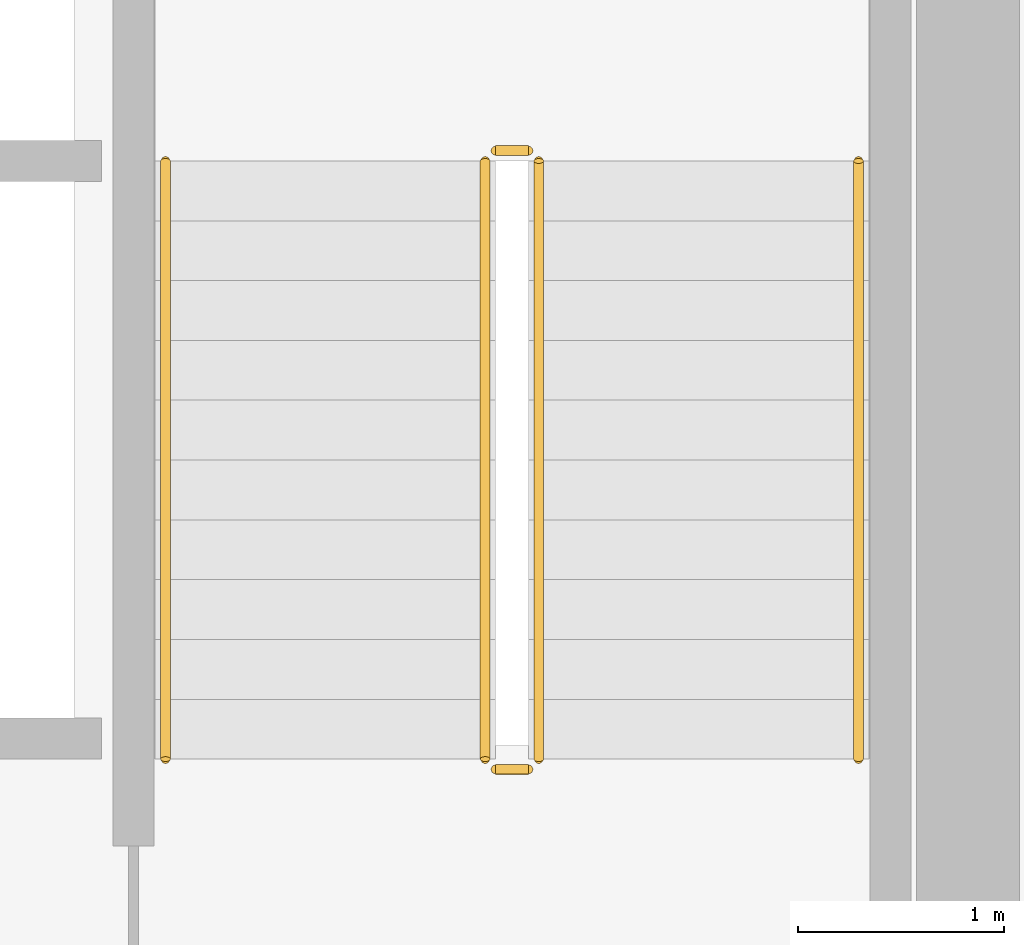
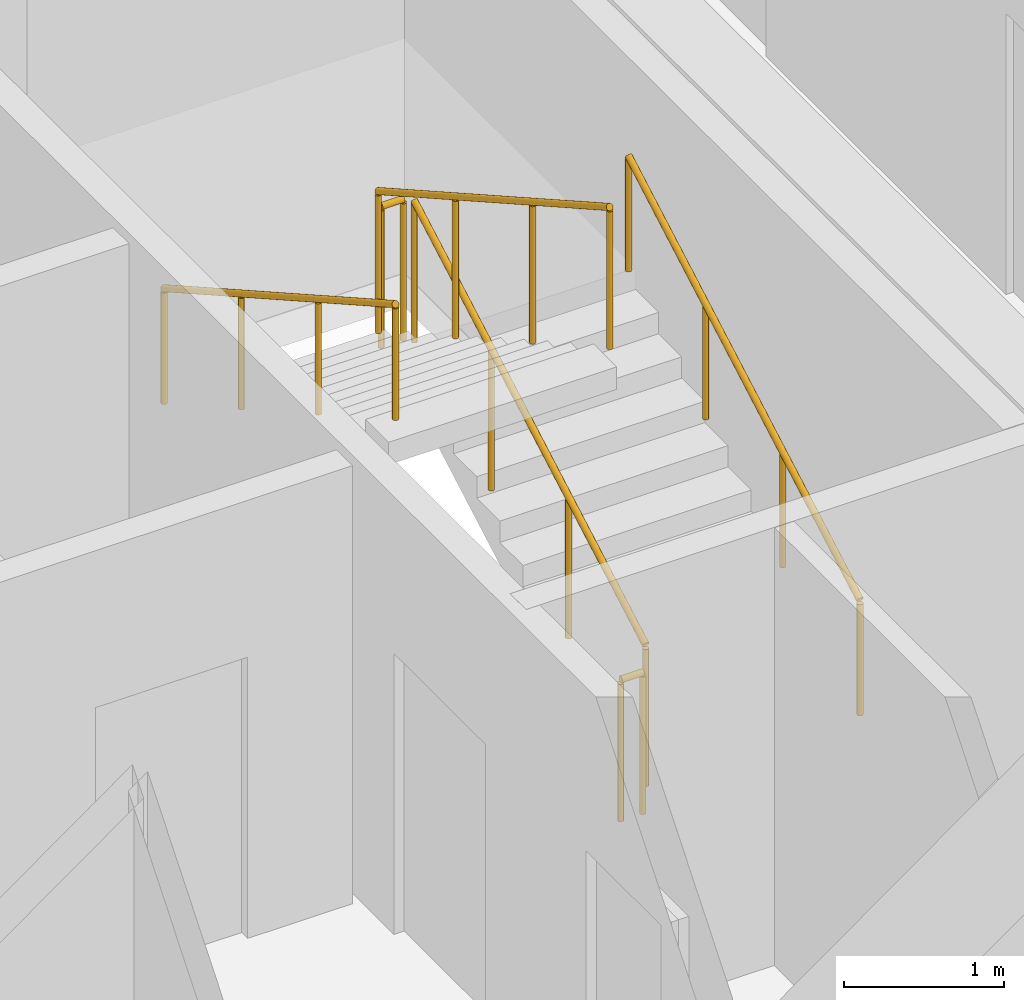
# One storey, part 9 of 9: 6 railings.
"""IFC4 building model written with IfcOpenShell, lengths in metres."""

from ifc_helpers import new_model, si_unit, direction, frame, origin, origin_2d, place, context, subcontext, project, spatial, circle, extrude, material, layer, layer_set, type_object, element, save


model = new_model("IFC4")

# Units and contexts
model_context = context("Model", 3, precision=1e-05, world=origin(), true_north=direction((0.0, 1.0)))
body_context = subcontext(model_context, "Body", "Model", "MODEL_VIEW")
ifc_project = project(units=[si_unit("LENGTHUNIT", "METRE"), si_unit("AREAUNIT", "SQUARE_METRE"), si_unit("VOLUMEUNIT", "CUBIC_METRE"), si_unit("PLANEANGLEUNIT", "RADIAN"), si_unit("MASSUNIT", "GRAM", prefix="KILO")], contexts=[model_context])

# Site, building, storey
site_placement = place(None, origin())
site = spatial("IfcSite", under=ifc_project, at=site_placement, CompositionType="ELEMENT")
building_placement = place(site_placement, origin())
building = spatial("IfcBuilding", under=site, at=building_placement, Name="Karkom Vertical University and Central Library", CompositionType="ELEMENT")
storey_placement = place(building_placement, frame((0.0, 0.0, 48.10009765625)))
storey = spatial("IfcBuildingStorey", under=building, at=storey_placement, Name="L12", CompositionType="ELEMENT", Elevation=48.10009765625)

# Railings
ifc_material_1 = material(Name="Painted galvanised steel balustrade", Category="steel")
ifc_layer_1 = layer(ifc_material_1, 0.06005859375)
ifc_layer_set_1 = layer_set([ifc_layer_1], Name="Painted galvanised steel balustrade")
railing_type_1 = type_object("IfcRailingType", Name="INT-RL-GUARD1100", PredefinedType="GUARDRAIL", material=ifc_layer_set_1)
railing_1_placement = place(storey_placement, frame((35.419921875, 23.02001953125, 0.16357421875)))
element("IfcRailing", 1, at=railing_1_placement, inside=storey, type_object=railing_type_1, Name="Level 12 ST-2 stair guard 1", PredefinedType="GUARDRAIL", context=body_context, shape_type="SweptSolid", body=[
    extrude(circle(Radius=0.02392578125, at=origin_2d()), frame((0.0, 0.0, 1.076171875), z_axis=(0.0, 0.870928581787, 0.491409610636), x_axis=(-1.0, 0.0, 0.0)), (0.0, 0.0, 1.0), 3.32958984375),
    extrude(circle(Radius=0.02099609375, at=origin_2d()), origin(), (0.0, 0.0, 1.0), 1.052001953125),
    extrude(circle(Radius=0.02099609375, at=origin_2d()), frame((0.0, 0.966552734375, 0.54541015625)), (0.0, 0.0, 1.0), 1.052001953125),
    extrude(circle(Radius=0.02099609375, at=origin_2d()), frame((0.0, 1.933349609375, 1.0908203125)), (0.0, 0.0, 1.0), 1.052001953125),
    extrude(circle(Radius=0.02099609375, at=origin_2d()), frame((0.0, 2.89990234375, 1.63623046875)), (0.0, 0.0, 1.0), 1.052001953125),
])
railing_2_placement = place(storey_placement, frame((35.3701171875, 25.969970703125, 1.7998046875)))
element("IfcRailing", 2, at=railing_2_placement, inside=storey, type_object=railing_type_1, Name="Level 12 ST-2 stair guard 2", PredefinedType="GUARDRAIL", context=body_context, shape_type="SweptSolid", body=[
    extrude(circle(Radius=0.02392578125, at=origin_2d()), frame((0.0, 0.0, 1.076171875), z_axis=(-1.0, 0.0, 0.0), x_axis=(0.0, -1.0, 0.0)), (0.0, 0.0, 1.0), 0.16015625),
    extrude(circle(Radius=0.02099609375, at=origin_2d()), origin(), (0.0, 0.0, 1.0), 1.052001953125),
    extrude(circle(Radius=0.02099609375, at=origin_2d()), frame((-0.16015625, 0.0, 0.0)), (0.0, 0.0, 1.0), 1.052001953125),
])
railing_3_placement = place(storey_placement, frame((35.159912109375, 25.919921875, 1.963623046875)))
element("IfcRailing", 3, at=railing_3_placement, inside=storey, type_object=railing_type_1, Name="Level 12 ST-2 stair guard 3", PredefinedType="GUARDRAIL", context=body_context, shape_type="SweptSolid", body=[
    extrude(circle(Radius=0.02392578125, at=origin_2d()), frame((0.0, 0.0, 1.076171875), z_axis=(0.0, -0.870928581787, 0.491409610636), x_axis=(1.0, 0.0, 0.0)), (0.0, 0.0, 1.0), 3.32958984375),
    extrude(circle(Radius=0.02099609375, at=origin_2d()), origin(), (0.0, 0.0, 1.0), 1.052001953125),
    extrude(circle(Radius=0.02099609375, at=origin_2d()), frame((0.0, -0.966552734375, 0.54541015625)), (0.0, 0.0, 1.0), 1.052001953125),
    extrude(circle(Radius=0.02099609375, at=origin_2d()), frame((0.0, -1.933349609375, 1.0908203125)), (0.0, 0.0, 1.0), 1.052001953125),
    extrude(circle(Radius=0.02099609375, at=origin_2d()), frame((0.0, -2.89990234375, 1.63623046875)), (0.0, 0.0, 1.0), 1.052001953125),
])
railing_4_placement = place(storey_placement, frame((35.3701171875, 22.969970703125, 0.0)))
element("IfcRailing", 4, at=railing_4_placement, inside=storey, type_object=railing_type_1, Name="Level 12 ST-2 stair guard 4", PredefinedType="GUARDRAIL", context=body_context, shape_type="SweptSolid", body=[
    extrude(circle(Radius=0.02392578125, at=origin_2d()), frame((0.0, 0.0, 1.076171875), z_axis=(-1.0, 0.0, 0.0), x_axis=(0.0, -1.0, 0.0)), (0.0, 0.0, 1.0), 0.16015625),
    extrude(circle(Radius=0.02099609375, at=origin_2d()), origin(), (0.0, 0.0, 1.0), 1.052001953125),
    extrude(circle(Radius=0.02099609375, at=origin_2d()), frame((-0.16015625, 0.0, 0.0)), (0.0, 0.0, 1.0), 1.052001953125),
])
ifc_material_2 = material(Name="Brushed stainless-steel tubular handrail", Category="steel")
ifc_layer_2 = layer(ifc_material_2, 0.048095703125)
ifc_layer_set_2 = layer_set([ifc_layer_2], Name="Brushed stainless-steel tubular handrail")
railing_type_2 = type_object("IfcRailingType", Name="INT-RL-HAND920", PredefinedType="HANDRAIL", material=ifc_layer_set_2)
railing_5_placement = place(storey_placement, frame((36.969970703125, 23.02001953125, 0.16357421875)))
element("IfcRailing", 5, at=railing_5_placement, inside=storey, type_object=railing_type_2, Name="Level 12 ST-2 stair handrail 1", PredefinedType="HANDRAIL", context=body_context, shape_type="SweptSolid", body=[
    extrude(circle(Radius=0.02392578125, at=origin_2d()), frame((0.0, 0.0, 0.8759765625), z_axis=(0.0, 0.870928581787, 0.491409610636), x_axis=(-1.0, 0.0, 0.0)), (0.0, 0.0, 1.0), 3.32958984375),
    extrude(circle(Radius=0.02099609375, at=origin_2d()), origin(), (0.0, 0.0, 1.0), 0.851806640625),
    extrude(circle(Radius=0.02099609375, at=origin_2d()), frame((0.0, 0.966552734375, 0.54541015625)), (0.0, 0.0, 1.0), 0.851806640625),
    extrude(circle(Radius=0.02099609375, at=origin_2d()), frame((0.0, 1.933349609375, 1.0908203125)), (0.0, 0.0, 1.0), 0.851806640625),
    extrude(circle(Radius=0.02099609375, at=origin_2d()), frame((0.0, 2.89990234375, 1.63623046875)), (0.0, 0.0, 1.0), 0.851806640625),
])
railing_6_placement = place(storey_placement, frame((33.610107421875, 25.919921875, 1.963623046875)))
element("IfcRailing", 6, at=railing_6_placement, inside=storey, type_object=railing_type_2, Name="Level 12 ST-2 stair handrail 2", PredefinedType="HANDRAIL", context=body_context, shape_type="SweptSolid", body=[
    extrude(circle(Radius=0.02392578125, at=origin_2d()), frame((0.0, 0.0, 0.8759765625), z_axis=(0.0, -0.870928581787, 0.491409610636), x_axis=(1.0, 0.0, 0.0)), (0.0, 0.0, 1.0), 3.32958984375),
    extrude(circle(Radius=0.02099609375, at=origin_2d()), origin(), (0.0, 0.0, 1.0), 0.851806640625),
    extrude(circle(Radius=0.02099609375, at=origin_2d()), frame((0.0, -0.966552734375, 0.54541015625)), (0.0, 0.0, 1.0), 0.851806640625),
    extrude(circle(Radius=0.02099609375, at=origin_2d()), frame((0.0, -1.933349609375, 1.0908203125)), (0.0, 0.0, 1.0), 0.851806640625),
    extrude(circle(Radius=0.02099609375, at=origin_2d()), frame((0.0, -2.89990234375, 1.63623046875)), (0.0, 0.0, 1.0), 0.851806640625),
])

save(model, "model.ifc")
